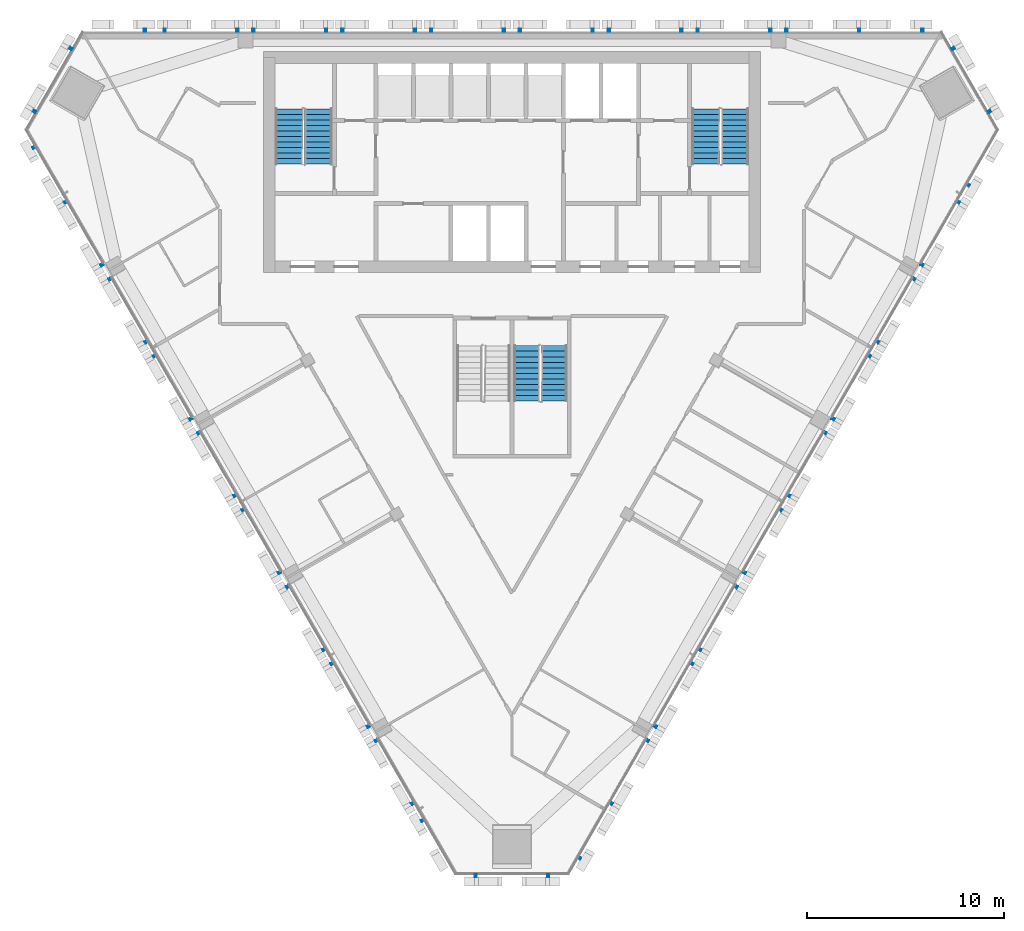
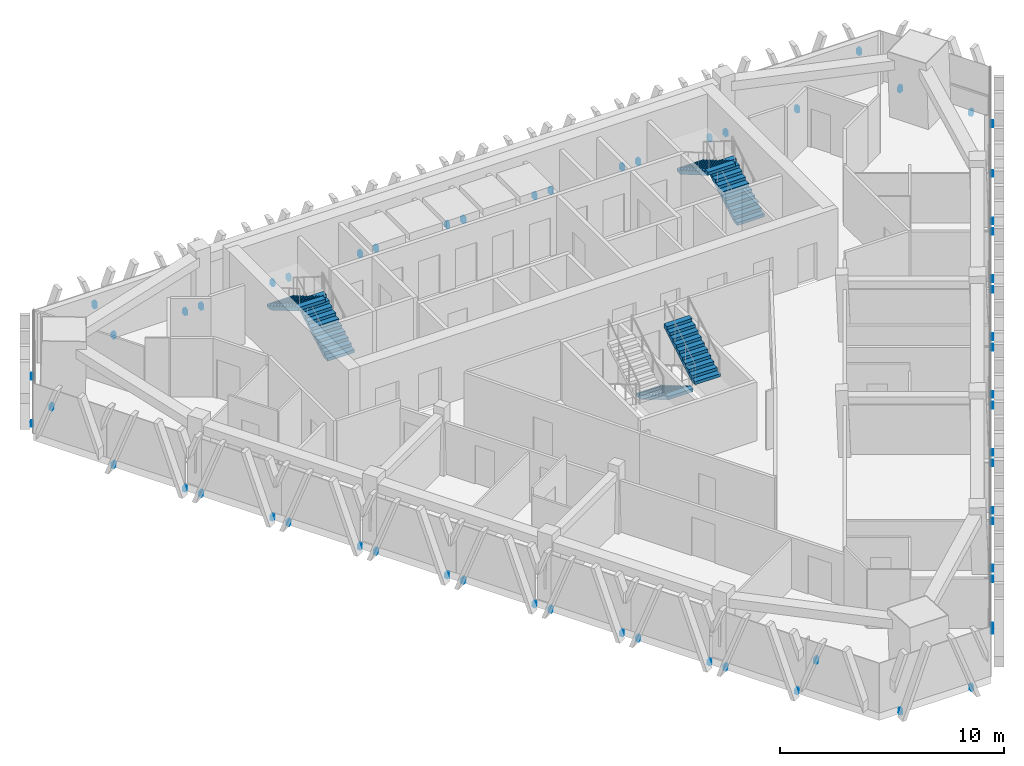
# One storey, part 11 of 14: 6 discrete accessories, 6 stair flights, 3 elements without a shape of their own.
"""IFC4 building model written with IfcOpenShell, lengths in metres."""

from ifc_helpers import new_model, si_unit, direction, frame, origin, place, context, subcontext, project, spatial, polyline, outline, extrude, source, transform, mapped, material, type_object, element, aggregate, save


model = new_model("IFC4")

# Units and contexts
model_context = context("Model", 3, precision=1e-05, world=origin(), true_north=direction((0.0, 1.0)))
body_context = subcontext(model_context, "Body", "Model", "MODEL_VIEW")
ifc_project = project(units=[si_unit("LENGTHUNIT", "METRE"), si_unit("AREAUNIT", "SQUARE_METRE"), si_unit("VOLUMEUNIT", "CUBIC_METRE"), si_unit("PLANEANGLEUNIT", "RADIAN"), si_unit("MASSUNIT", "GRAM", prefix="KILO")], contexts=[model_context])

# Site, building, storey
site_placement = place(None, origin())
site = spatial("IfcSite", under=ifc_project, at=site_placement, CompositionType="ELEMENT")
building_placement = place(site_placement, origin())
building = spatial("IfcBuilding", under=site, at=building_placement, Name="Altiplano Prism Tower", CompositionType="ELEMENT")
storey_placement = place(building_placement, frame((0.0, 0.0, 226.60009765625)))
storey = spatial("IfcBuildingStorey", under=building, at=storey_placement, Name="L58", CompositionType="ELEMENT", Elevation=226.60009765625)

# Stair, stair flights
ifc_material_1 = material(Name="Concrete C40/50", Category="concrete")
stair_type_1 = type_object("IfcStairType", Name="Exit stair 1400", PredefinedType="HALF_TURN_STAIR", material=ifc_material_1)
stair_1_placement = place(storey_placement, origin())
stair_1 = element("IfcStair", 1, at=stair_1_placement, inside=storey, type_object=stair_type_1, Name="L58 Exit Stair 1", PredefinedType="HALF_TURN_STAIR")
stair_flight_type = type_object("IfcStairFlightType", Name="Stair flight concrete 150", PredefinedType="STRAIGHT", material=ifc_material_1)
stair_flight_1_placement = place(storey_placement, frame((75.199951171875, 98.300048828125, 0.0), z_axis=(0.0, 0.0, 1.0), x_axis=(0.0, 1.0, 0.0)))
stair_flight_1 = element("IfcStairFlight", 2, at=stair_flight_1_placement, type_object=stair_flight_type, Name="ST1 flight 1", NumberOfRisers=11, NumberOfTreads=10, PredefinedType="STRAIGHT", RiserHeight=0.163636364, TreadLength=0.28, context=body_context, shape_type="SweptSolid", body=[
    extrude(outline(polyline([(0.0, 0.0), (0.0, 0.16357421875), (0.280029296875, 0.16357421875), (0.280029296875, 0.327392578125), (0.56005859375, 0.327392578125), (0.56005859375, 0.490966796875), (0.840087890625, 0.490966796875), (0.840087890625, 0.654541015625), (1.1201171875, 0.654541015625), (1.1201171875, 0.818115234375), (1.39990234375, 0.818115234375), (1.39990234375, 0.98193359375), (1.679931640625, 0.98193359375), (1.679931640625, 1.1455078125), (1.9599609375, 1.1455078125), (1.9599609375, 1.30908203125), (2.239990234375, 1.30908203125), (2.239990234375, 1.47265625), (2.52001953125, 1.47265625), (2.52001953125, 1.636474609375), (2.800048828125, 1.636474609375), (2.800048828125, 1.800048828125), (2.800048828125, 1.462646484375), (0.297119140625, 0.0), (0.0, 0.0)])), frame((0.0, 0.699951171875, 0.0), z_axis=(0.0, -1.0, 0.0), x_axis=(1.0, 0.0, 0.0)), (0.0, 0.0, 1.0), 1.39990234375),
])
stair_flight_2_placement = place(storey_placement, frame((73.699951171875, 101.10009765625, 1.7998046875), z_axis=(0.0, 0.0, 1.0), x_axis=(0.0, -1.0, 0.0)))
stair_flight_2 = element("IfcStairFlight", 3, at=stair_flight_2_placement, type_object=stair_flight_type, Name="ST1 flight 2", NumberOfRisers=11, NumberOfTreads=10, PredefinedType="STRAIGHT", RiserHeight=0.163636364, TreadLength=0.28, context=body_context, shape_type="SweptSolid", body=[
    extrude(outline(polyline([(0.0, 0.0), (0.0, 0.16357421875), (0.280029296875, 0.16357421875), (0.280029296875, 0.327392578125), (0.56005859375, 0.327392578125), (0.56005859375, 0.490966796875), (0.840087890625, 0.490966796875), (0.840087890625, 0.654541015625), (1.1201171875, 0.654541015625), (1.1201171875, 0.818115234375), (1.39990234375, 0.818115234375), (1.39990234375, 0.98193359375), (1.679931640625, 0.98193359375), (1.679931640625, 1.1455078125), (1.9599609375, 1.1455078125), (1.9599609375, 1.30908203125), (2.239990234375, 1.30908203125), (2.239990234375, 1.47265625), (2.52001953125, 1.47265625), (2.52001953125, 1.636474609375), (2.800048828125, 1.636474609375), (2.800048828125, 1.800048828125), (2.800048828125, 1.462646484375), (0.297119140625, 0.0), (0.0, 0.0)])), frame((0.0, 0.699951171875, 0.0), z_axis=(0.0, -1.0, 0.0), x_axis=(1.0, 0.0, 0.0)), (0.0, 0.0, 1.0), 1.39990234375),
])
aggregate(stair_1, [stair_flight_1, stair_flight_2])

stair_2_placement = place(storey_placement, origin())
stair_2 = element("IfcStair", 4, at=stair_2_placement, inside=storey, type_object=stair_type_1, Name="L58 Exit Stair 2", PredefinedType="HALF_TURN_STAIR")
stair_flight_3_placement = place(storey_placement, frame((96.300048828125, 98.300048828125, 0.0), z_axis=(0.0, 0.0, 1.0), x_axis=(0.0, 1.0, 0.0)))
stair_flight_3 = element("IfcStairFlight", 5, at=stair_flight_3_placement, type_object=stair_flight_type, Name="ST2 flight 1", NumberOfRisers=11, NumberOfTreads=10, PredefinedType="STRAIGHT", RiserHeight=0.163636364, TreadLength=0.28, context=body_context, shape_type="SweptSolid", body=[
    extrude(outline(polyline([(0.0, 0.0), (0.0, 0.16357421875), (0.280029296875, 0.16357421875), (0.280029296875, 0.327392578125), (0.56005859375, 0.327392578125), (0.56005859375, 0.490966796875), (0.840087890625, 0.490966796875), (0.840087890625, 0.654541015625), (1.1201171875, 0.654541015625), (1.1201171875, 0.818115234375), (1.39990234375, 0.818115234375), (1.39990234375, 0.98193359375), (1.679931640625, 0.98193359375), (1.679931640625, 1.1455078125), (1.9599609375, 1.1455078125), (1.9599609375, 1.30908203125), (2.239990234375, 1.30908203125), (2.239990234375, 1.47265625), (2.52001953125, 1.47265625), (2.52001953125, 1.636474609375), (2.800048828125, 1.636474609375), (2.800048828125, 1.800048828125), (2.800048828125, 1.462646484375), (0.297119140625, 0.0), (0.0, 0.0)])), frame((0.0, 0.699951171875, 0.0), z_axis=(0.0, -1.0, 0.0), x_axis=(1.0, 0.0, 0.0)), (0.0, 0.0, 1.0), 1.39990234375),
])
stair_flight_4_placement = place(storey_placement, frame((94.800048828125, 101.10009765625, 1.7998046875), z_axis=(0.0, 0.0, 1.0), x_axis=(0.0, -1.0, 0.0)))
stair_flight_4 = element("IfcStairFlight", 6, at=stair_flight_4_placement, type_object=stair_flight_type, Name="ST2 flight 2", NumberOfRisers=11, NumberOfTreads=10, PredefinedType="STRAIGHT", RiserHeight=0.163636364, TreadLength=0.28, context=body_context, shape_type="SweptSolid", body=[
    extrude(outline(polyline([(0.0, 0.0), (0.0, 0.16357421875), (0.280029296875, 0.16357421875), (0.280029296875, 0.327392578125), (0.56005859375, 0.327392578125), (0.56005859375, 0.490966796875), (0.840087890625, 0.490966796875), (0.840087890625, 0.654541015625), (1.1201171875, 0.654541015625), (1.1201171875, 0.818115234375), (1.39990234375, 0.818115234375), (1.39990234375, 0.98193359375), (1.679931640625, 0.98193359375), (1.679931640625, 1.1455078125), (1.9599609375, 1.1455078125), (1.9599609375, 1.30908203125), (2.239990234375, 1.30908203125), (2.239990234375, 1.47265625), (2.52001953125, 1.47265625), (2.52001953125, 1.636474609375), (2.800048828125, 1.636474609375), (2.800048828125, 1.800048828125), (2.800048828125, 1.462646484375), (0.297119140625, 0.0), (0.0, 0.0)])), frame((0.0, 0.699951171875, 0.0), z_axis=(0.0, -1.0, 0.0), x_axis=(1.0, 0.0, 0.0)), (0.0, 0.0, 1.0), 1.39990234375),
])
aggregate(stair_2, [stair_flight_3, stair_flight_4])

stair_type_2 = type_object("IfcStairType", Name="Exit stair 1300", PredefinedType="HALF_TURN_STAIR", material=ifc_material_1)
stair_3_placement = place(storey_placement, origin())
stair_3 = element("IfcStair", 7, at=stair_3_placement, inside=storey, type_object=stair_type_2, Name="L58 Exit Stair 3B", PredefinedType="HALF_TURN_STAIR")
stair_flight_5_placement = place(storey_placement, frame((85.75, 89.10009765625, 0.0), z_axis=(0.0, 0.0, 1.0), x_axis=(0.0, -1.0, 0.0)))
stair_flight_5 = element("IfcStairFlight", 8, at=stair_flight_5_placement, type_object=stair_flight_type, Name="ST3B flight 1", NumberOfRisers=11, NumberOfTreads=10, PredefinedType="STRAIGHT", RiserHeight=0.163636364, TreadLength=0.28, context=body_context, shape_type="SweptSolid", body=[
    extrude(outline(polyline([(0.0, 0.0), (0.0, 0.16357421875), (0.280029296875, 0.16357421875), (0.280029296875, 0.327392578125), (0.56005859375, 0.327392578125), (0.56005859375, 0.490966796875), (0.840087890625, 0.490966796875), (0.840087890625, 0.654541015625), (1.1201171875, 0.654541015625), (1.1201171875, 0.818115234375), (1.39990234375, 0.818115234375), (1.39990234375, 0.98193359375), (1.679931640625, 0.98193359375), (1.679931640625, 1.1455078125), (1.9599609375, 1.1455078125), (1.9599609375, 1.30908203125), (2.239990234375, 1.30908203125), (2.239990234375, 1.47265625), (2.52001953125, 1.47265625), (2.52001953125, 1.636474609375), (2.800048828125, 1.636474609375), (2.800048828125, 1.800048828125), (2.800048828125, 1.462646484375), (0.297119140625, 0.0), (0.0, 0.0)])), frame((0.0, 0.64990234375, 0.0), z_axis=(0.0, -1.0, 0.0), x_axis=(1.0, 0.0, 0.0)), (0.0, 0.0, 1.0), 1.300048828125),
])
stair_flight_6_placement = place(storey_placement, frame((87.14990234375, 86.300048828125, 1.7998046875), z_axis=(0.0, 0.0, 1.0), x_axis=(0.0, 1.0, 0.0)))
stair_flight_6 = element("IfcStairFlight", 9, at=stair_flight_6_placement, type_object=stair_flight_type, Name="ST3B flight 2", NumberOfRisers=11, NumberOfTreads=10, PredefinedType="STRAIGHT", RiserHeight=0.163636364, TreadLength=0.28, context=body_context, shape_type="SweptSolid", body=[
    extrude(outline(polyline([(0.0, 0.0), (0.0, 0.16357421875), (0.280029296875, 0.16357421875), (0.280029296875, 0.327392578125), (0.56005859375, 0.327392578125), (0.56005859375, 0.490966796875), (0.840087890625, 0.490966796875), (0.840087890625, 0.654541015625), (1.1201171875, 0.654541015625), (1.1201171875, 0.818115234375), (1.39990234375, 0.818115234375), (1.39990234375, 0.98193359375), (1.679931640625, 0.98193359375), (1.679931640625, 1.1455078125), (1.9599609375, 1.1455078125), (1.9599609375, 1.30908203125), (2.239990234375, 1.30908203125), (2.239990234375, 1.47265625), (2.52001953125, 1.47265625), (2.52001953125, 1.636474609375), (2.800048828125, 1.636474609375), (2.800048828125, 1.800048828125), (2.800048828125, 1.462646484375), (0.297119140625, 0.0), (0.0, 0.0)])), frame((0.0, 0.64990234375, 0.0), z_axis=(0.0, -1.0, 0.0), x_axis=(1.0, 0.0, 0.0)), (0.0, 0.0, 1.0), 1.300048828125),
])
aggregate(stair_3, [stair_flight_5, stair_flight_6])

# Discrete accessories
ifc_material_2 = material(Name="Stainless steel", Category="steel")
discrete_accessory_type = type_object("IfcDiscreteAccessoryType", Name="Stone fin fixing prongs", PredefinedType="USERDEFINED", material=ifc_material_2)
shared_shape_1 = source(origin(), body_context, "Body", "SweptSolid", [
    extrude(outline(polyline([(-1.16162109375, 2.07177734375), (-1.041748046875, 2.07177734375), (-1.041748046875, 2.37158203125), (-1.16162109375, 2.37158203125), (-1.16162109375, 2.07177734375)])), frame((0.0, 0.0, 0.0), z_axis=(0.0, -1.0, 0.0), x_axis=(1.0, 0.0, 0.0)), (0.0, 0.0, 1.0), 0.14990234375),
])
shared_shape_2 = source(origin(), body_context, "Body", "SweptSolid", [
    extrude(outline(polyline([(-1.8974609375, 0.06005859375), (-1.777587890625, 0.06005859375), (-1.777587890625, 0.340087890625), (-1.8974609375, 0.340087890625), (-1.8974609375, 0.06005859375)])), frame((0.0, 0.0, 0.0), z_axis=(0.0, -1.0, 0.0), x_axis=(1.0, 0.0, 0.0)), (0.0, 0.0, 1.0), 0.14990234375),
    extrude(outline(polyline([(1.777587890625, 0.06005859375), (1.8974609375, 0.06005859375), (1.8974609375, 0.340087890625), (1.777587890625, 0.340087890625), (1.777587890625, 0.06005859375)])), frame((0.0, 0.0, 0.0), z_axis=(0.0, -1.0, 0.0), x_axis=(1.0, 0.0, 0.0)), (0.0, 0.0, 1.0), 0.14990234375),
])
discrete_accessory_1_placement = place(storey_placement, origin())
element("IfcDiscreteAccessory", 10, at=discrete_accessory_1_placement, inside=storey, type_object=discrete_accessory_type, Name="Fin fixings L58 north face", ObjectType="BRACKET", PredefinedType="USERDEFINED", context=body_context, shape_type="MappedRepresentation", body=[
    mapped(shared_shape_1, transform((104.685302734375, 105.0, -0.400146484375), x_axis=(-1.0, 0.0, 0.0), y_axis=(0.0, -1.0, 0.0), z_axis=(0.0, 0.0, 1.0))),
    mapped(shared_shape_2, transform((100.75, 105.0, -0.400146484375), x_axis=(-1.0, 0.0, 0.0), y_axis=(0.0, -1.0, 0.0), z_axis=(0.0, 0.0, 1.0))),
    mapped(shared_shape_2, transform((96.25, 105.0, -0.400146484375), x_axis=(-1.0, 0.0, 0.0), y_axis=(0.0, -1.0, 0.0), z_axis=(0.0, 0.0, 1.0))),
    mapped(shared_shape_2, transform((91.75, 105.0, -0.400146484375), x_axis=(-1.0, 0.0, 0.0), y_axis=(0.0, -1.0, 0.0), z_axis=(0.0, 0.0, 1.0))),
    mapped(shared_shape_2, transform((87.25, 105.0, -0.400146484375), x_axis=(-1.0, 0.0, 0.0), y_axis=(0.0, -1.0, 0.0), z_axis=(0.0, 0.0, 1.0))),
    mapped(shared_shape_2, transform((82.75, 105.0, -0.400146484375), x_axis=(-1.0, 0.0, 0.0), y_axis=(0.0, -1.0, 0.0), z_axis=(0.0, 0.0, 1.0))),
    mapped(shared_shape_2, transform((78.25, 105.0, -0.400146484375), x_axis=(-1.0, 0.0, 0.0), y_axis=(0.0, -1.0, 0.0), z_axis=(0.0, 0.0, 1.0))),
    mapped(shared_shape_2, transform((73.75, 105.0, -0.400146484375), x_axis=(-1.0, 0.0, 0.0), y_axis=(0.0, -1.0, 0.0), z_axis=(0.0, 0.0, 1.0))),
    mapped(shared_shape_2, transform((69.25, 105.0, -0.400146484375), x_axis=(-1.0, 0.0, 0.0), y_axis=(0.0, -1.0, 0.0), z_axis=(0.0, 0.0, 1.0))),
    mapped(shared_shape_1, transform((65.314697265625, 105.0, -0.400146484375), x_axis=(-1.0, 0.0, 0.0), y_axis=(0.0, -1.0, 0.0), z_axis=(0.0, 0.0, 1.0))),
])
discrete_accessory_2_placement = place(storey_placement, origin())
element("IfcDiscreteAccessory", 11, at=discrete_accessory_2_placement, inside=storey, type_object=discrete_accessory_type, Name="Fin fixings L58 south-west face", ObjectType="BRACKET", PredefinedType="USERDEFINED", context=body_context, shape_type="MappedRepresentation", body=[
    mapped(shared_shape_1, transform((61.40576171875, 98.2294921875, -0.400146484375), x_axis=(0.500000003773, -0.866025401606, 0.0), y_axis=(0.866025401606, 0.500000003773, 0.0), z_axis=(0.0, 0.0, 1.0))),
    mapped(shared_shape_2, transform((63.37353515625, 94.821533203125, -0.400146484375), x_axis=(0.500000003773, -0.866025401606, 0.0), y_axis=(0.866025401606, 0.500000003773, 0.0), z_axis=(0.0, 0.0, 1.0))),
    mapped(shared_shape_2, transform((65.62353515625, 90.92431640625, -0.400146484375), x_axis=(0.500000003773, -0.866025401606, 0.0), y_axis=(0.866025401606, 0.500000003773, 0.0), z_axis=(0.0, 0.0, 1.0))),
    mapped(shared_shape_2, transform((67.87353515625, 87.02734375, -0.400146484375), x_axis=(0.500000003773, -0.866025401606, 0.0), y_axis=(0.866025401606, 0.500000003773, 0.0), z_axis=(0.0, 0.0, 1.0))),
    mapped(shared_shape_2, transform((70.12353515625, 83.130126953125, -0.400146484375), x_axis=(0.500000003773, -0.866025401606, 0.0), y_axis=(0.866025401606, 0.500000003773, 0.0), z_axis=(0.0, 0.0, 1.0))),
    mapped(shared_shape_2, transform((72.37353515625, 79.233154296875, -0.400146484375), x_axis=(0.500000003773, -0.866025401606, 0.0), y_axis=(0.866025401606, 0.500000003773, 0.0), z_axis=(0.0, 0.0, 1.0))),
    mapped(shared_shape_2, transform((74.62353515625, 75.3359375, -0.400146484375), x_axis=(0.500000003773, -0.866025401606, 0.0), y_axis=(0.866025401606, 0.500000003773, 0.0), z_axis=(0.0, 0.0, 1.0))),
    mapped(shared_shape_2, transform((76.87353515625, 71.438720703125, -0.400146484375), x_axis=(0.500000003773, -0.866025401606, 0.0), y_axis=(0.866025401606, 0.500000003773, 0.0), z_axis=(0.0, 0.0, 1.0))),
    mapped(shared_shape_2, transform((79.12353515625, 67.541748046875, -0.400146484375), x_axis=(0.500000003773, -0.866025401606, 0.0), y_axis=(0.866025401606, 0.500000003773, 0.0), z_axis=(0.0, 0.0, 1.0))),
    mapped(shared_shape_1, transform((81.091064453125, 64.133544921875, -0.400146484375), x_axis=(0.500000003773, -0.866025401606, 0.0), y_axis=(0.866025401606, 0.500000003773, 0.0), z_axis=(0.0, 0.0, 1.0))),
])
discrete_accessory_3_placement = place(storey_placement, origin())
element("IfcDiscreteAccessory", 12, at=discrete_accessory_3_placement, inside=storey, type_object=discrete_accessory_type, Name="Fin fixings L58 south-east face", ObjectType="BRACKET", PredefinedType="USERDEFINED", context=body_context, shape_type="MappedRepresentation", body=[
    mapped(shared_shape_1, transform((88.908935546875, 64.133544921875, -0.400146484375), x_axis=(0.500000003773, 0.866025401606, 0.0), y_axis=(-0.866025401606, 0.500000003773, 0.0), z_axis=(0.0, 0.0, 1.0))),
    mapped(shared_shape_2, transform((90.87646484375, 67.541748046875, -0.400146484375), x_axis=(0.500000003773, 0.866025401606, 0.0), y_axis=(-0.866025401606, 0.500000003773, 0.0), z_axis=(0.0, 0.0, 1.0))),
    mapped(shared_shape_2, transform((93.12646484375, 71.438720703125, -0.400146484375), x_axis=(0.500000003773, 0.866025401606, 0.0), y_axis=(-0.866025401606, 0.500000003773, 0.0), z_axis=(0.0, 0.0, 1.0))),
    mapped(shared_shape_2, transform((95.37646484375, 75.3359375, -0.400146484375), x_axis=(0.500000003773, 0.866025401606, 0.0), y_axis=(-0.866025401606, 0.500000003773, 0.0), z_axis=(0.0, 0.0, 1.0))),
    mapped(shared_shape_2, transform((97.62646484375, 79.233154296875, -0.400146484375), x_axis=(0.500000003773, 0.866025401606, 0.0), y_axis=(-0.866025401606, 0.500000003773, 0.0), z_axis=(0.0, 0.0, 1.0))),
    mapped(shared_shape_2, transform((99.87646484375, 83.130126953125, -0.400146484375), x_axis=(0.500000003773, 0.866025401606, 0.0), y_axis=(-0.866025401606, 0.500000003773, 0.0), z_axis=(0.0, 0.0, 1.0))),
    mapped(shared_shape_2, transform((102.12646484375, 87.02734375, -0.400146484375), x_axis=(0.500000003773, 0.866025401606, 0.0), y_axis=(-0.866025401606, 0.500000003773, 0.0), z_axis=(0.0, 0.0, 1.0))),
    mapped(shared_shape_2, transform((104.37646484375, 90.92431640625, -0.400146484375), x_axis=(0.500000003773, 0.866025401606, 0.0), y_axis=(-0.866025401606, 0.500000003773, 0.0), z_axis=(0.0, 0.0, 1.0))),
    mapped(shared_shape_2, transform((106.62646484375, 94.821533203125, -0.400146484375), x_axis=(0.500000003773, 0.866025401606, 0.0), y_axis=(-0.866025401606, 0.500000003773, 0.0), z_axis=(0.0, 0.0, 1.0))),
    mapped(shared_shape_1, transform((108.59423828125, 98.2294921875, -0.400146484375), x_axis=(0.500000003773, 0.866025401606, 0.0), y_axis=(-0.866025401606, 0.500000003773, 0.0), z_axis=(0.0, 0.0, 1.0))),
])
shared_shape_3 = source(origin(), body_context, "Body", "SweptSolid", [
    extrude(outline(polyline([(-1.8974609375, 0.06005859375), (-1.777587890625, 0.06005859375), (-1.777587890625, 0.340087890625), (-1.8974609375, 0.340087890625), (-1.8974609375, 0.06005859375)])), frame((0.0, 0.0, 0.0), z_axis=(0.0, -1.0, 0.0), x_axis=(1.0, 0.0, 0.0)), (0.0, 0.0, 1.0), 0.14990234375),
    extrude(outline(polyline([(1.777587890625, 0.06005859375), (1.8974609375, 0.06005859375), (1.8974609375, 0.340087890625), (1.777587890625, 0.340087890625), (1.777587890625, 0.06005859375)])), frame((0.0, 0.0, 0.0), z_axis=(0.0, -1.0, 0.0), x_axis=(1.0, 0.0, 0.0)), (0.0, 0.0, 1.0), 0.14990234375),
])
discrete_accessory_4_placement = place(storey_placement, origin())
element("IfcDiscreteAccessory", 13, at=discrete_accessory_4_placement, inside=storey, type_object=discrete_accessory_type, Name="Fin fixings L58 north-west chamfer", ObjectType="BRACKET", PredefinedType="USERDEFINED", context=body_context, shape_type="MappedRepresentation", body=[
    mapped(shared_shape_3, transform((61.796142578125, 102.517822265625, -0.400146484375), x_axis=(-0.499999994858, -0.866025406753, 0.0), y_axis=(0.866025406753, -0.499999994858, 0.0), z_axis=(0.0, 0.0, 1.0))),
])
discrete_accessory_5_placement = place(storey_placement, origin())
element("IfcDiscreteAccessory", 14, at=discrete_accessory_5_placement, inside=storey, type_object=discrete_accessory_type, Name="Fin fixings L58 south chamfer", ObjectType="BRACKET", PredefinedType="USERDEFINED", context=body_context, shape_type="MappedRepresentation", body=[
    mapped(shared_shape_3, transform((85.0, 62.32763671875, -0.400146484375), x_axis=(1.0, 0.0, 0.0), y_axis=(0.0, 1.0, 0.0), z_axis=(0.0, 0.0, 1.0))),
])
discrete_accessory_6_placement = place(storey_placement, origin())
element("IfcDiscreteAccessory", 15, at=discrete_accessory_6_placement, inside=storey, type_object=discrete_accessory_type, Name="Fin fixings L58 north-east chamfer", ObjectType="BRACKET", PredefinedType="USERDEFINED", context=body_context, shape_type="MappedRepresentation", body=[
    mapped(shared_shape_3, transform((108.203857421875, 102.517822265625, -0.400146484375), x_axis=(-0.499999994858, 0.866025406753, 0.0), y_axis=(-0.866025406753, -0.499999994858, 0.0), z_axis=(0.0, 0.0, 1.0))),
])

save(model, "model.ifc")
